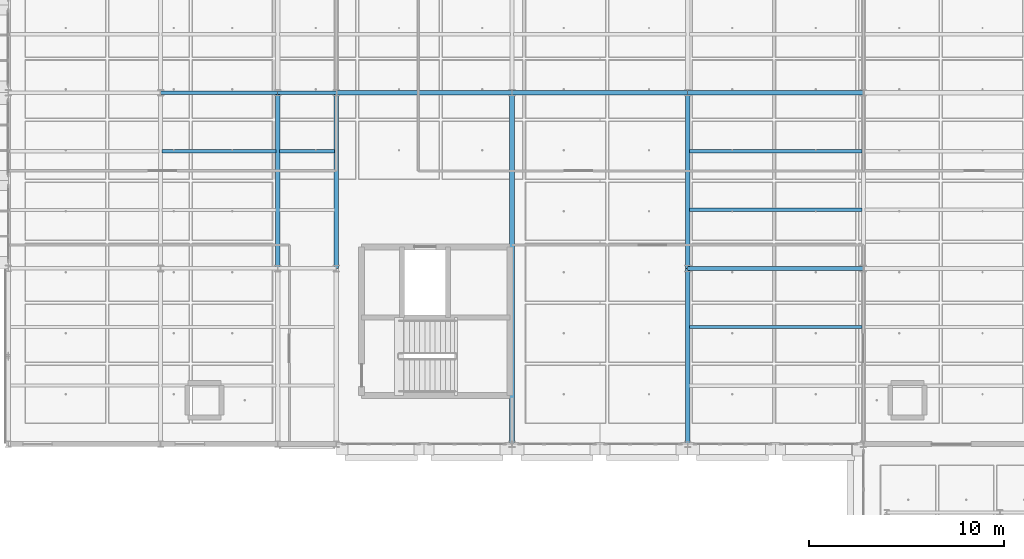
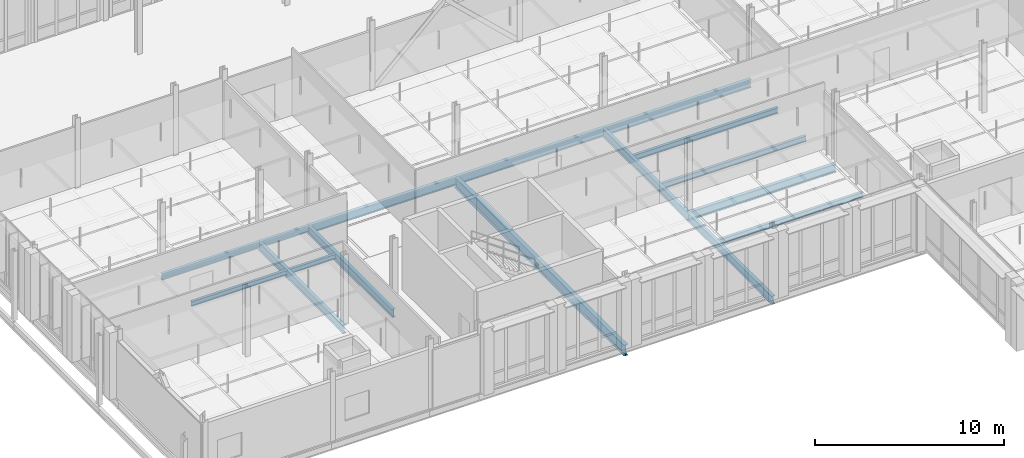
# One storey, part 38 of 130: 16 beams.
"""IFC4 building model written with IfcOpenShell, lengths in metres."""

import ifcopenshell
import ifcopenshell.guid

model = None  # the IFC model being written
_history = None  # IfcOwnerHistory: only IFC2X3 demands one
_inside = {}  # id of a spatial element -> (the spatial element, [elements in it])
_under = {}  # id of a project, library or spatial element -> (it, [spatial elements below it])
_declared = {}  # id of a project -> (the project, [libraries it declares])
_typed = {}  # id of a type object -> (the type object, [elements of that type])
_made_of = {}  # id of a material, layer set ... -> (it, [elements and type objects made of it])


def new_model(schema):
    """Start an empty IFC model of exactly this schema.

    Asked for "IFC4X3", IfcOpenShell would pick the latest addendum, in which some entities
    have other attributes; the version numbers below select the first issue.
    IFC2X3 requires an IfcOwnerHistory on every rooted entity: one is made here for all.
    """
    global model, _history
    if schema == "IFC4X3":
        model = ifcopenshell.file(schema_version=(4, 3, 0, 0))
    else:
        model = ifcopenshell.file(schema=schema)
    _inside.clear()
    _under.clear()
    _declared.clear()
    _typed.clear()
    _made_of.clear()
    _history = None
    if model.schema == "IFC2X3":
        org = make("IfcOrganization", Name="unknown")
        user = make(
            "IfcPersonAndOrganization",
            ThePerson=make("IfcPerson", FamilyName="unknown"),
            TheOrganization=org,
        )
        app = make(
            "IfcApplication",
            ApplicationDeveloper=org,
            Version="unknown",
            ApplicationFullName="unknown",
            ApplicationIdentifier="unknown",
        )
        _history = make(
            "IfcOwnerHistory",
            OwningUser=user,
            OwningApplication=app,
            ChangeAction="ADDED",
            CreationDate=0,
        )
    return model


def make(cls, **values):
    """One entity of the class cls with the attributes given. An attribute that is None is left unset."""
    return model.create_entity(
        cls, **{name: value for name, value in values.items() if value is not None}
    )


def rooted(cls, **values):
    """An entity with a GlobalId (a new one), such as an element, a storey or a relation."""
    return make(cls, GlobalId=ifcopenshell.guid.new(), OwnerHistory=_history, **values)


def si_unit(unit_type, name, prefix=None):
    """IfcSIUnit, for example si_unit("LENGTHUNIT", "METRE", prefix="MILLI")."""
    return make("IfcSIUnit", UnitType=unit_type, Prefix=prefix, Name=name)


def assignment(units):
    """IfcUnitAssignment: the units of a project."""
    return None if units is None else make("IfcUnitAssignment", Units=units)


def point(xyz):
    """IfcCartesianPoint."""
    return None if xyz is None else make("IfcCartesianPoint", Coordinates=xyz)


def direction(xyz):
    """IfcDirection."""
    return None if xyz is None else make("IfcDirection", DirectionRatios=xyz)


def frame(location, z_axis=None, x_axis=None):
    """IfcAxis2Placement3D, a coordinate frame: its origin and axes. An axis left out is left unset."""
    return make(
        "IfcAxis2Placement3D",
        Location=point(location),
        Axis=direction(z_axis),
        RefDirection=direction(x_axis),
    )


def frame_2d(location, x_axis=None):
    """IfcAxis2Placement2D, a coordinate frame in the plane: its origin and x axis."""
    return make(
        "IfcAxis2Placement2D", Location=point(location), RefDirection=direction(x_axis)
    )


def origin():
    """The frame at (0, 0, 0) with its axes left unset."""
    return frame((0.0, 0.0, 0.0))


def origin_2d():
    """The frame at (0, 0) in the plane with its x axis left unset."""
    return frame_2d((0.0, 0.0))


def place(relative_to, where):
    """IfcLocalPlacement: puts the frame where relative to a parent placement (None: the world)."""
    return make(
        "IfcLocalPlacement", PlacementRelTo=relative_to, RelativePlacement=where
    )


def context(
    kind, dimensions, precision=None, world=None, true_north=None, identifier=None
):
    """IfcGeometricRepresentationContext, for example the 3D "Model" context."""
    return make(
        "IfcGeometricRepresentationContext",
        ContextIdentifier=identifier,
        ContextType=kind,
        CoordinateSpaceDimension=dimensions,
        Precision=precision,
        WorldCoordinateSystem=world,
        TrueNorth=true_north,
    )


def subcontext(parent, identifier, kind, view, scale=None):
    """IfcGeometricRepresentationSubContext, for example "Body" below "Model"."""
    return make(
        "IfcGeometricRepresentationSubContext",
        ContextIdentifier=identifier,
        ContextType=kind,
        ParentContext=parent,
        TargetScale=scale,
        TargetView=view,
    )


def project(units=None, contexts=None):
    """IfcProject with its units and contexts."""
    return rooted(
        "IfcProject",
        Name="project",
        RepresentationContexts=contexts,
        UnitsInContext=assignment(units),
    )


def spatial(cls, under=None, at=None, **own):
    """A site, building, storey or space (cls), placed at a placement, below another one or the project."""
    s = rooted(cls, ObjectPlacement=at, **own)
    if under is not None:
        _under.setdefault(under.id(), (under, []))[1].append(s)
    return s


def profile(cls, at=None, kind="AREA", **sizes):
    """A parametric profile (cls). Its sizes go by their IFC names, for example OverallWidth=200.0."""
    return make(cls, ProfileType=kind, Position=at, **sizes)


def i_section(**sizes):
    """IfcIShapeProfileDef."""
    return profile("IfcIShapeProfileDef", **sizes)


def extrude(swept, where, along, depth):
    """IfcExtrudedAreaSolid: the profile swept, set in the frame where, extruded along a direction by depth."""
    return make(
        "IfcExtrudedAreaSolid",
        SweptArea=swept,
        Position=where,
        ExtrudedDirection=direction(along),
        Depth=depth,
    )


def shape(context_of_items, identifier, shape_type, items):
    """IfcShapeRepresentation: the items that make up one representation, for example the "Body"."""
    return make(
        "IfcShapeRepresentation",
        ContextOfItems=context_of_items,
        RepresentationIdentifier=identifier,
        RepresentationType=shape_type,
        Items=items,
    )


def material(Name=None, Category=None):
    """IfcMaterial."""
    return make("IfcMaterial", Name=Name, Category=Category)


def material_profile(
    of_material, cross_section, Name=None, Category=None, Priority=None
):
    """IfcMaterialProfile: a cross section and its material."""
    return make(
        "IfcMaterialProfile",
        Name=Name,
        Material=of_material,
        Profile=cross_section,
        Priority=Priority,
        Category=Category,
    )


def profile_set(profiles, Name=None, composite=None):
    """IfcMaterialProfileSet."""
    return make(
        "IfcMaterialProfileSet",
        Name=Name,
        MaterialProfiles=profiles,
        CompositeProfile=composite,
    )


def made_of(thing, what):
    """Note that an element or type object is made of a material, layer set ...; save() writes the relation."""
    if what is not None:
        _made_of.setdefault(what.id(), (what, []))[1].append(thing)
    return thing


def type_object(cls, material=None, **own):
    """A type object (cls), such as IfcWallType, which elements share."""
    return made_of(rooted(cls, **own), material)


def element(
    cls,
    number,
    at=None,
    inside=None,
    cuts=None,
    type_object=None,
    material=None,
    context=None,
    identifier="Body",
    shape_type=None,
    held_by="IfcProductDefinitionShape",
    body=None,
    shapes=None,
    **own,
):
    """One element of the class cls, such as IfcWall. Its Tag is "e" and its number.

    at: its placement. inside: the storey or other place that contains it. cuts: it is an
    opening in that element (IfcRelVoidsElement). A single representation is given by context,
    identifier, shape_type and body (its items); several are given by shapes. held_by: the class
    of the entity that holds the representations. save() writes the other relations.
    """
    e = rooted(cls, Tag="e%d" % number, ObjectPlacement=at, **own)
    if body is not None:
        shapes = [shape(context, identifier, shape_type, body)]
    if shapes is not None:
        e.Representation = make(held_by, Representations=shapes)
    if inside is not None:
        _inside.setdefault(inside.id(), (inside, []))[1].append(e)
    if cuts is not None:
        rooted(
            "IfcRelVoidsElement", RelatingBuildingElement=cuts, RelatedOpeningElement=e
        )
    if type_object is not None:
        _typed.setdefault(type_object.id(), (type_object, []))[1].append(e)
    return made_of(e, material)


def aggregate(whole, parts):
    """IfcRelAggregates: a whole, such as a stair, and the parts it consists of."""
    return rooted("IfcRelAggregates", RelatingObject=whole, RelatedObjects=parts)


def save(model, path):
    """Write the relations noted so far, then the file.

    IfcRelAggregates (storeys below a building ...), IfcRelContainedInSpatialStructure (elements
    in a storey), IfcRelDefinesByType, IfcRelAssociatesMaterial and IfcRelDeclares: one each for
    every whole, place, type object, material and project.
    """
    for whole, parts in _under.values():
        aggregate(whole, parts)
    for where, things in _inside.values():
        rooted(
            "IfcRelContainedInSpatialStructure",
            RelatedElements=things,
            RelatingStructure=where,
        )
    for kind, things in _typed.values():
        rooted("IfcRelDefinesByType", RelatedObjects=things, RelatingType=kind)
    for what, things in _made_of.values():
        rooted("IfcRelAssociatesMaterial", RelatedObjects=things, RelatingMaterial=what)
    for by, libraries in _declared.values():
        rooted("IfcRelDeclares", RelatingContext=by, RelatedDefinitions=libraries)
    model.write(path)


model = new_model("IFC4")

# Units and contexts
model_context = context("Model", 3, precision=1e-05, world=origin(), true_north=direction((0.0, 1.0)))
body_context = subcontext(model_context, "Body", "Model", "MODEL_VIEW")
ifc_project = project(units=[si_unit("LENGTHUNIT", "METRE"), si_unit("AREAUNIT", "SQUARE_METRE"), si_unit("VOLUMEUNIT", "CUBIC_METRE"), si_unit("PLANEANGLEUNIT", "RADIAN"), si_unit("MASSUNIT", "GRAM", prefix="KILO"), si_unit("THERMODYNAMICTEMPERATUREUNIT", "KELVIN"), si_unit("POWERUNIT", "WATT")], contexts=[model_context])

# Site, building, storey
site_placement = place(None, origin())
site = spatial("IfcSite", under=ifc_project, at=site_placement, CompositionType="ELEMENT")
building_placement = place(site_placement, origin())
building = spatial("IfcBuilding", under=site, at=building_placement, Name="Tallowbark Science Centre", CompositionType="ELEMENT")
storey_placement = place(building_placement, frame((0.0, 0.0, 5.39990234375)))
storey = spatial("IfcBuildingStorey", under=building, at=storey_placement, Name="L01", CompositionType="ELEMENT", Elevation=5.39990234375)

# Beams
ifc_material = material(Name="Structural Steel Grade 300PLUS (300 MPa)", Category="steel")
ifc_material_profile_1 = material_profile(ifc_material, i_section(OverallWidth=0.177734375, OverallDepth=0.406494140625, WebThickness=0.0078125, FlangeThickness=0.0126953125, FilletRadius=0.011474609375, at=origin_2d()), Name="410UB59.7")
ifc_profile_set_1 = profile_set([ifc_material_profile_1], Name="Structural Steel Grade 300PLUS (300 MPa)")
beam_type_1 = type_object("IfcBeamType", Name="BM-UB410", PredefinedType="BEAM", material=ifc_profile_set_1)
beam_1_placement = place(storey_placement, frame((63.0, 90.0, -0.383056640625), z_axis=(1.0, 0.0, 0.0), x_axis=(0.0, 1.0, 0.0)))
element("IfcBeam", 1, at=beam_1_placement, inside=storey, type_object=beam_type_1, Name="Primary Girder GRDX-L01-630-690-900", PredefinedType="BEAM", context=body_context, shape_type="SweptSolid", body=[
    extrude(i_section(OverallWidth=0.177734375, OverallDepth=0.406494140625, WebThickness=0.0078125, FlangeThickness=0.0126953125, FilletRadius=0.011474609375, at=origin_2d()), origin(), (0.0, 0.0, 1.0), 6.0),
])
beam_2_placement = place(storey_placement, frame((69.0, 90.0, -0.383056640625), z_axis=(1.0, 0.0, 0.0), x_axis=(0.0, 1.0, 0.0)))
element("IfcBeam", 2, at=beam_2_placement, inside=storey, type_object=beam_type_1, Name="Primary Girder GRDX-L01-690-720-900", PredefinedType="BEAM", context=body_context, shape_type="SweptSolid", body=[
    extrude(i_section(OverallWidth=0.177734375, OverallDepth=0.406494140625, WebThickness=0.0078125, FlangeThickness=0.0126953125, FilletRadius=0.011474609375, at=origin_2d()), origin(), (0.0, 0.0, 1.0), 3.0),
])
ifc_material_profile_2 = material_profile(ifc_material, i_section(OverallWidth=0.208984375, OverallDepth=0.532958984375, WebThickness=0.01025390625, FlangeThickness=0.015625, FilletRadius=0.013916015625, at=origin_2d()), Name="530UB92.4")
ifc_profile_set_2 = profile_set([ifc_material_profile_2], Name="Structural Steel Grade 300PLUS (300 MPa)")
beam_type_2 = type_object("IfcBeamType", Name="BM-UB530A", PredefinedType="BEAM", material=ifc_profile_set_2)
for number, where, z_axis, x_axis, name in (
    (3, (90.0, 81.0, -0.4462890625), (1.0, 0.0, 0.0), (0.0, 1.0, 0.0), "Primary Girder GRDX-L01-900-990-810"),
    (4, (72.0, 90.0, -0.4462890625), (1.0, 0.0, 0.0), (0.0, 1.0, 0.0), "Primary Girder GRDX-L01-720-810-900"),
    (5, (81.0, 90.0, -0.4462890625), (1.0, 0.0, 0.0), (0.0, 1.0, 0.0), "Primary Girder GRDX-L01-810-900-900"),
    (6, (90.0, 90.0, -0.4462890625), (1.0, 0.0, 0.0), (0.0, 1.0, 0.0), "Primary Girder GRDX-L01-900-990-900"),
):
    element("IfcBeam", number, at=place(storey_placement, frame(where, z_axis=z_axis, x_axis=x_axis)), inside=storey, type_object=beam_type_2, Name=name, PredefinedType="BEAM", context=body_context, shape_type="SweptSolid", body=[
        extrude(i_section(OverallWidth=0.208984375, OverallDepth=0.532958984375, WebThickness=0.01025390625, FlangeThickness=0.015625, FilletRadius=0.013916015625, at=origin_2d()), origin(), (0.0, 0.0, 1.0), 9.0),
    ])
ifc_material_profile_3 = material_profile(ifc_material, i_section(OverallWidth=0.208740234375, OverallDepth=0.5283203125, WebThickness=0.009521484375, FlangeThickness=0.01318359375, FilletRadius=0.013916015625, at=origin_2d()), Name="530UB82.0")
ifc_profile_set_3 = profile_set([ifc_material_profile_3], Name="Structural Steel Grade 300PLUS (300 MPa)")
beam_type_3 = type_object("IfcBeamType", Name="BM-UB530B", PredefinedType="BEAM", material=ifc_profile_set_3)
for number, where, z_axis, x_axis, name in (
    (7, (69.0, 81.0, -0.444091796875), (0.0, 1.0, 0.0), (-1.0, 0.0, 0.0), "Primary Girder GRDY-L01-690-810-900"),
    (8, (72.0, 81.0, -0.444091796875), (0.0, 1.0, 0.0), (-1.0, 0.0, 0.0), "Primary Girder GRDY-L01-720-810-900"),
    (9, (90.0, 72.0, -0.444091796875), (0.0, 1.0, 0.0), (-1.0, 0.0, 0.0), "Primary Girder GRDY-L01-900-720-810"),
    (10, (90.0, 81.0, -0.444091796875), (0.0, 1.0, 0.0), (-1.0, 0.0, 0.0), "Primary Girder GRDY-L01-900-810-900"),
):
    element("IfcBeam", number, at=place(storey_placement, frame(where, z_axis=z_axis, x_axis=x_axis)), inside=storey, type_object=beam_type_3, Name=name, PredefinedType="BEAM", context=body_context, shape_type="SweptSolid", body=[
        extrude(i_section(OverallWidth=0.208740234375, OverallDepth=0.5283203125, WebThickness=0.009521484375, FlangeThickness=0.01318359375, FilletRadius=0.013916015625, at=origin_2d()), origin(), (0.0, 0.0, 1.0), 9.0),
    ])
ifc_material_profile_4 = material_profile(ifc_material, i_section(OverallWidth=0.25, OverallDepth=0.699951171875, WebThickness=0.010009765625, FlangeThickness=0.02001953125, FilletRadius=0.013916015625, at=origin_2d()), Name="700WB130")
ifc_profile_set_4 = profile_set([ifc_material_profile_4], Name="Structural Steel Grade 300PLUS (300 MPa)")
beam_type_4 = type_object("IfcBeamType", Name="BM-WB700", PredefinedType="BEAM", material=ifc_profile_set_4)
beam_3_placement = place(storey_placement, frame((81.0, 72.0, -0.52978515625), z_axis=(0.0, 1.0, 0.0), x_axis=(-1.0, 0.0, 0.0)))
element("IfcBeam", 11, at=beam_3_placement, inside=storey, type_object=beam_type_4, Name="Primary Girder GRDY-L01-810-720-900", PredefinedType="BEAM", context=body_context, shape_type="SweptSolid", body=[
    extrude(i_section(OverallWidth=0.25, OverallDepth=0.699951171875, WebThickness=0.010009765625, FlangeThickness=0.02001953125, FilletRadius=0.013916015625, at=origin_2d()), origin(), (0.0, 0.0, 1.0), 18.0),
])
ifc_material_profile_5 = material_profile(ifc_material, i_section(OverallWidth=0.166015625, OverallDepth=0.30712890625, WebThickness=0.006591796875, FlangeThickness=0.01171875, FilletRadius=0.011474609375, at=origin_2d()), Name="310UB46.2")
ifc_profile_set_5 = profile_set([ifc_material_profile_5], Name="Structural Steel Grade 300PLUS (300 MPa)")
beam_type_5 = type_object("IfcBeamType", Name="JST-UB310", PredefinedType="JOIST", material=ifc_profile_set_5)
beam_4_placement = place(storey_placement, frame((63.0849609375, 87.0, -0.33349609375), z_axis=(1.0, 0.0, 0.0), x_axis=(0.0, 1.0, 0.0)))
element("IfcBeam", 12, at=beam_4_placement, inside=storey, type_object=beam_type_5, Name="Composite Floor Joist JSTX-L01-630-870", PredefinedType="JOIST", context=body_context, shape_type="SweptSolid", body=[
    extrude(i_section(OverallWidth=0.166015625, OverallDepth=0.30712890625, WebThickness=0.006591796875, FlangeThickness=0.01171875, FilletRadius=0.011474609375, at=origin_2d()), origin(), (0.0, 0.0, 1.0), 5.830078125),
])
beam_5_placement = place(storey_placement, frame((69.0849609375, 87.0, -0.33349609375), z_axis=(1.0, 0.0, 0.0), x_axis=(0.0, 1.0, 0.0)))
element("IfcBeam", 13, at=beam_5_placement, inside=storey, type_object=beam_type_5, Name="Composite Floor Joist JSTX-L01-690-870", PredefinedType="JOIST", context=body_context, shape_type="SweptSolid", body=[
    extrude(i_section(OverallWidth=0.166015625, OverallDepth=0.30712890625, WebThickness=0.006591796875, FlangeThickness=0.01171875, FilletRadius=0.011474609375, at=origin_2d()), origin(), (0.0, 0.0, 1.0), 2.830078125),
])
ifc_material_profile_6 = material_profile(ifc_material, i_section(OverallWidth=0.172119140625, OverallDepth=0.358642578125, WebThickness=0.008056640625, FlangeThickness=0.012939453125, FilletRadius=0.011474609375, at=origin_2d()), Name="360UB56.7")
ifc_profile_set_6 = profile_set([ifc_material_profile_6], Name="Structural Steel Grade 300PLUS (300 MPa)")
beam_type_6 = type_object("IfcBeamType", Name="JST-UB360", PredefinedType="JOIST", material=ifc_profile_set_6)
for number, where, z_axis, x_axis, name in (
    (14, (90.0849609375, 78.0, -0.359130859375), (1.0, 0.0, 0.0), (0.0, 1.0, 0.0), "Composite Floor Joist JSTX-L01-900-780"),
    (15, (90.0849609375, 84.0, -0.359130859375), (1.0, 0.0, 0.0), (0.0, 1.0, 0.0), "Composite Floor Joist JSTX-L01-900-840"),
    (16, (90.0849609375, 87.0, -0.359130859375), (1.0, 0.0, 0.0), (0.0, 1.0, 0.0), "Composite Floor Joist JSTX-L01-900-870"),
):
    element("IfcBeam", number, at=place(storey_placement, frame(where, z_axis=z_axis, x_axis=x_axis)), inside=storey, type_object=beam_type_6, Name=name, PredefinedType="JOIST", context=body_context, shape_type="SweptSolid", body=[
        extrude(i_section(OverallWidth=0.172119140625, OverallDepth=0.358642578125, WebThickness=0.008056640625, FlangeThickness=0.012939453125, FilletRadius=0.011474609375, at=origin_2d()), origin(), (0.0, 0.0, 1.0), 8.830078125),
    ])

save(model, "model.ifc")
